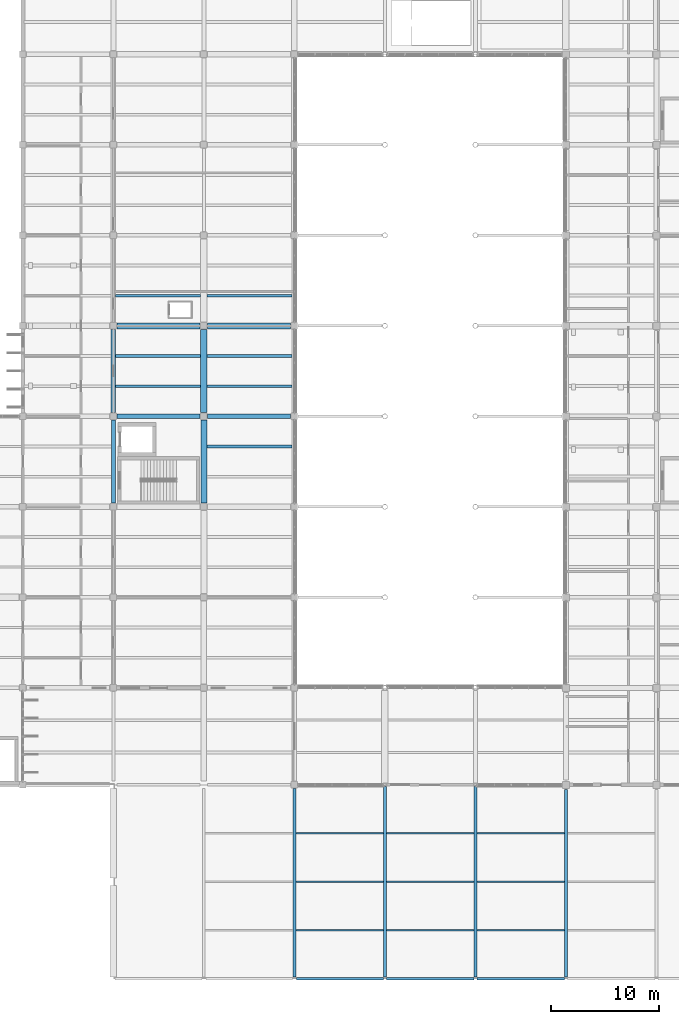
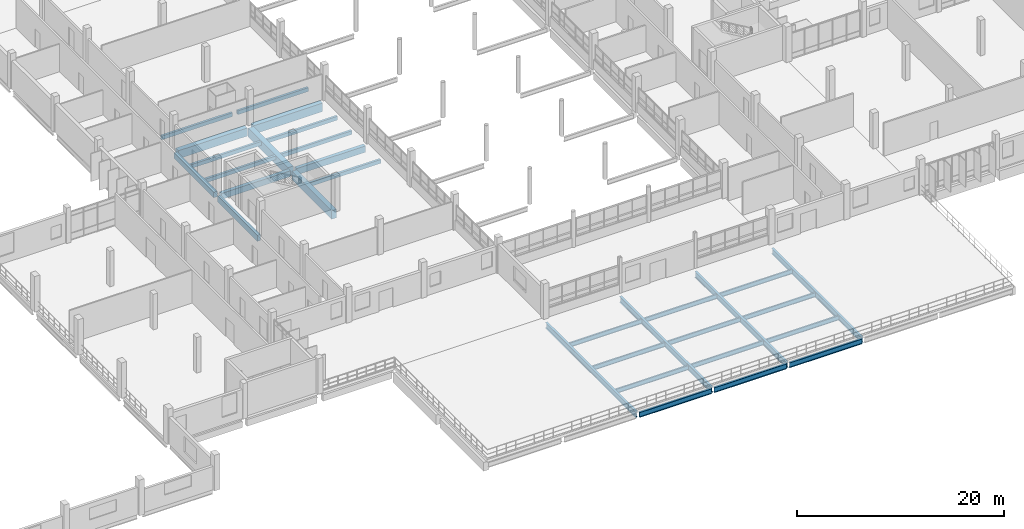
# One storey, part 14 of 101: 31 beams.
"""IFC4 building model written with IfcOpenShell, lengths in metres."""

from ifc_helpers import new_model, si_unit, direction, frame, origin, origin_2d, place, context, subcontext, project, spatial, rectangle, i_section, extrude, material, material_profile, profile_set, type_object, element, save


model = new_model("IFC4")

# Units and contexts
model_context = context("Model", 3, precision=1e-05, world=origin(), true_north=direction((0.0, 1.0)))
body_context = subcontext(model_context, "Body", "Model", "MODEL_VIEW")
ifc_project = project(units=[si_unit("LENGTHUNIT", "METRE"), si_unit("AREAUNIT", "SQUARE_METRE"), si_unit("VOLUMEUNIT", "CUBIC_METRE"), si_unit("PLANEANGLEUNIT", "RADIAN"), si_unit("MASSUNIT", "GRAM", prefix="KILO")], contexts=[model_context])

# Site, building, storey
site_placement = place(None, origin())
site = spatial("IfcSite", under=ifc_project, at=site_placement, CompositionType="ELEMENT")
building_placement = place(site_placement, origin())
building = spatial("IfcBuilding", under=site, at=building_placement, Name="Vireocrest Preparatory School", CompositionType="ELEMENT")
storey_placement = place(building_placement, frame((0.0, 0.0, 4.800048828125)))
storey = spatial("IfcBuildingStorey", under=building, at=storey_placement, Name="L01", CompositionType="ELEMENT", Elevation=4.800048828125)

# Beams
ifc_material_1 = material(Name="Structural steel ASTM A992 Grade 50", Category="steel")
ifc_material_profile_1 = material_profile(ifc_material_1, i_section(OverallWidth=0.2529296875, OverallDepth=0.677978515625, WebThickness=0.01171875, FlangeThickness=0.016357421875, FilletRadius=0.01806640625, at=origin_2d()), Name="W27X84")
ifc_profile_set_1 = profile_set([ifc_material_profile_1], Name="Structural steel ASTM A992 Grade 50")
beam_type_1 = type_object("IfcBeamType", Name="Concourse Long-Span Girder W27X84", PredefinedType="BEAM", material=ifc_profile_set_1)
beam_1_placement = place(storey_placement, frame((67.199951171875, 0.177978515625, -0.658935546875), z_axis=(0.0, 1.0, 0.0), x_axis=(-1.0, 0.0, 0.0)))
element("IfcBeam", 1, at=beam_1_placement, inside=storey, type_object=beam_type_1, Name="Primary Girder SB2 L01-0414", PredefinedType="BEAM", context=body_context, shape_type="SweptSolid", body=[
    extrude(i_section(OverallWidth=0.2529296875, OverallDepth=0.677978515625, WebThickness=0.01171875, FlangeThickness=0.016357421875, FilletRadius=0.01806640625, at=origin_2d()), origin(), (0.0, 0.0, 1.0), 17.471923828125),
])
for number, where, z_axis, x_axis, name in (
    (2, (75.60009765625, 0.154052734375, -0.658935546875), (0.0, 1.0, 0.0), (-1.0, 0.0, 0.0), "Primary Girder SB2 L01-0426"),
    (3, (84.0, 0.154052734375, -0.658935546875), (0.0, 1.0, 0.0), (-1.0, 0.0, 0.0), "Primary Girder SB2 L01-0431"),
):
    element("IfcBeam", number, at=place(storey_placement, frame(where, z_axis=z_axis, x_axis=x_axis)), inside=storey, type_object=beam_type_1, Name=name, PredefinedType="BEAM", context=body_context, shape_type="SweptSolid", body=[
        extrude(i_section(OverallWidth=0.2529296875, OverallDepth=0.677978515625, WebThickness=0.01171875, FlangeThickness=0.016357421875, FilletRadius=0.01806640625, at=origin_2d()), origin(), (0.0, 0.0, 1.0), 17.693603515625),
    ])
beam_2_placement = place(storey_placement, frame((92.39990234375, 0.179931640625, -0.658935546875), z_axis=(0.0, 1.0, 0.0), x_axis=(-1.0, 0.0, 0.0)))
element("IfcBeam", 4, at=beam_2_placement, inside=storey, type_object=beam_type_1, Name="Primary Girder SB2 L01-0436", PredefinedType="BEAM", context=body_context, shape_type="SweptSolid", body=[
    extrude(i_section(OverallWidth=0.2529296875, OverallDepth=0.677978515625, WebThickness=0.01171875, FlangeThickness=0.016357421875, FilletRadius=0.01806640625, at=origin_2d()), origin(), (0.0, 0.0, 1.0), 17.3701171875),
])
ifc_material_profile_2 = material_profile(ifc_material_1, i_section(OverallWidth=0.22802734375, OverallDepth=0.60302734375, WebThickness=0.010498046875, FlangeThickness=0.014892578125, FilletRadius=0.01611328125, at=origin_2d()), Name="W24X68")
ifc_profile_set_2 = profile_set([ifc_material_profile_2], Name="Structural steel ASTM A992 Grade 50")
beam_type_2 = type_object("IfcBeamType", Name="Dining Pavilion Roof Girder W24X68", PredefinedType="BEAM", material=ifc_profile_set_2)
beam_3_placement = place(storey_placement, frame((67.384521484375, 0.0, -0.62158203125), z_axis=(1.0, 0.0, 0.0), x_axis=(0.0, 1.0, 0.0)))
element("IfcBeam", 5, at=beam_3_placement, inside=storey, type_object=beam_type_2, Name="Primary Girder SB4 L01-0254", PredefinedType="BEAM", context=body_context, shape_type="SweptSolid", body=[
    extrude(i_section(OverallWidth=0.22802734375, OverallDepth=0.60302734375, WebThickness=0.010498046875, FlangeThickness=0.014892578125, FilletRadius=0.01611328125, at=origin_2d()), origin(), (0.0, 0.0, 1.0), 8.06298828125),
])
beam_4_placement = place(storey_placement, frame((75.75244140625, 0.0, -0.62158203125), z_axis=(1.0, 0.0, 0.0), x_axis=(0.0, 1.0, 0.0)))
element("IfcBeam", 6, at=beam_4_placement, inside=storey, type_object=beam_type_2, Name="Primary Girder SB4 L01-0255", PredefinedType="BEAM", context=body_context, shape_type="SweptSolid", body=[
    extrude(i_section(OverallWidth=0.22802734375, OverallDepth=0.60302734375, WebThickness=0.010498046875, FlangeThickness=0.014892578125, FilletRadius=0.01611328125, at=origin_2d()), origin(), (0.0, 0.0, 1.0), 8.094970703125),
])
beam_5_placement = place(storey_placement, frame((84.152587890625, 0.0, -0.62158203125), z_axis=(1.0, 0.0, 0.0), x_axis=(0.0, 1.0, 0.0)))
element("IfcBeam", 7, at=beam_5_placement, inside=storey, type_object=beam_type_2, Name="Primary Girder SB4 L01-0256", PredefinedType="BEAM", context=body_context, shape_type="SweptSolid", body=[
    extrude(i_section(OverallWidth=0.22802734375, OverallDepth=0.60302734375, WebThickness=0.010498046875, FlangeThickness=0.014892578125, FilletRadius=0.01611328125, at=origin_2d()), origin(), (0.0, 0.0, 1.0), 8.119384765625),
])
ifc_material_profile_3 = material_profile(ifc_material_1, i_section(OverallWidth=0.166015625, OverallDepth=0.529052734375, WebThickness=0.009765625, FlangeThickness=0.013671875, FilletRadius=0.014892578125, at=origin_2d()), Name="W21X50")
ifc_profile_set_3 = profile_set([ifc_material_profile_3], Name="Structural steel ASTM A992 Grade 50")
beam_type_3 = type_object("IfcBeamType", Name="Pavilion Roof Joist W21X50", PredefinedType="JOIST", material=ifc_profile_set_3)
for number, where, z_axis, x_axis, name in (
    (8, (67.326416015625, 4.5, -0.58447265625), (1.0, 0.0, 0.0), (0.0, 1.0, 0.0), "Play Deck Joist SJ1-0666"),
    (9, (67.326416015625, 9.0, -0.58447265625), (1.0, 0.0, 0.0), (0.0, 1.0, 0.0), "Play Deck Joist SJ1-0667"),
    (10, (67.326416015625, 13.5, -0.58447265625), (1.0, 0.0, 0.0), (0.0, 1.0, 0.0), "Play Deck Joist SJ1-0668"),
    (11, (75.7265625, 4.5, -0.58447265625), (1.0, 0.0, 0.0), (0.0, 1.0, 0.0), "Play Deck Joist SJ1-0669"),
    (12, (75.7265625, 9.0, -0.58447265625), (1.0, 0.0, 0.0), (0.0, 1.0, 0.0), "Play Deck Joist SJ1-0670"),
    (13, (75.7265625, 13.5, -0.58447265625), (1.0, 0.0, 0.0), (0.0, 1.0, 0.0), "Play Deck Joist SJ1-0671"),
    (14, (84.12646484375, 4.5, -0.58447265625), (1.0, 0.0, 0.0), (0.0, 1.0, 0.0), "Play Deck Joist SJ1-0672"),
    (15, (84.12646484375, 9.0, -0.58447265625), (1.0, 0.0, 0.0), (0.0, 1.0, 0.0), "Play Deck Joist SJ1-0673"),
    (16, (84.12646484375, 13.5, -0.58447265625), (1.0, 0.0, 0.0), (0.0, 1.0, 0.0), "Play Deck Joist SJ1-0674"),
):
    element("IfcBeam", number, at=place(storey_placement, frame(where, z_axis=z_axis, x_axis=x_axis)), inside=storey, type_object=beam_type_3, Name=name, PredefinedType="JOIST", context=body_context, shape_type="SweptSolid", body=[
        extrude(i_section(OverallWidth=0.166015625, OverallDepth=0.529052734375, WebThickness=0.009765625, FlangeThickness=0.013671875, FilletRadius=0.014892578125, at=origin_2d()), origin(), (0.0, 0.0, 1.0), 8.14697265625),
    ])
ifc_material_2 = material(Name="Concrete 40 MPa", Category="concrete")
ifc_material_profile_4 = material_profile(ifc_material_2, rectangle(XDim=0.39990234375, YDim=0.75, at=origin_2d()), Name="RC 400x750")
ifc_profile_set_4 = profile_set([ifc_material_profile_4], Name="Concrete 40 MPa")
beam_type_4 = type_object("IfcBeamType", Name="RC Commons Girder 400x750", PredefinedType="BEAM", material=ifc_profile_set_4)
beam_6_placement = place(storey_placement, frame((59.14990234375, 52.199951171875, -0.614990234375), z_axis=(1.0, 0.0, 0.0), x_axis=(0.0, 1.0, 0.0)))
element("IfcBeam", 17, at=beam_6_placement, inside=storey, type_object=beam_type_4, Name="Primary Girder B09 L01-0313", PredefinedType="BEAM", context=body_context, shape_type="SweptSolid", body=[
    extrude(rectangle(XDim=0.39990234375, YDim=0.75, at=origin_2d()), origin(), (0.0, 0.0, 1.0), 7.7001953125),
])
ifc_material_profile_5 = material_profile(ifc_material_2, rectangle(XDim=0.550048828125, YDim=1.0, at=origin_2d()), Name="RC 550x1000")
ifc_profile_set_5 = profile_set([ifc_material_profile_5], Name="Concrete 40 MPa")
beam_type_5 = type_object("IfcBeamType", Name="RC Core Coupling Beam 550x1000", PredefinedType="BEAM", material=ifc_profile_set_5)
for number, where, z_axis, x_axis, name in (
    (18, (59.14990234375, 60.60009765625, -0.739990234375), (1.0, 0.0, 0.0), (0.0, 1.0, 0.0), "Primary Girder B18 L01-0322"),
    (19, (58.800048828125, 44.14990234375, -0.739990234375), (0.0, 1.0, 0.0), (-1.0, 0.0, 0.0), "Primary Girder B18 L01-0407"),
):
    element("IfcBeam", number, at=place(storey_placement, frame(where, z_axis=z_axis, x_axis=x_axis)), inside=storey, type_object=beam_type_5, Name=name, PredefinedType="BEAM", context=body_context, shape_type="SweptSolid", body=[
        extrude(rectangle(XDim=0.550048828125, YDim=1.0, at=origin_2d()), origin(), (0.0, 0.0, 1.0), 7.7001953125),
    ])
ifc_material_profile_6 = material_profile(ifc_material_2, rectangle(XDim=0.39990234375, YDim=0.699951171875, at=origin_2d()), Name="RC 400x700")
ifc_profile_set_6 = profile_set([ifc_material_profile_6], Name="Concrete 40 MPa")
beam_type_6 = type_object("IfcBeamType", Name="RC Corridor Girder 400x700", PredefinedType="BEAM", material=ifc_profile_set_6)
beam_7_placement = place(storey_placement, frame((50.75, 52.199951171875, -0.590087890625), z_axis=(1.0, 0.0, 0.0), x_axis=(0.0, 1.0, 0.0)))
element("IfcBeam", 20, at=beam_7_placement, inside=storey, type_object=beam_type_6, Name="Primary Girder B08 L01-0312", PredefinedType="BEAM", context=body_context, shape_type="SweptSolid", body=[
    extrude(rectangle(XDim=0.39990234375, YDim=0.699951171875, at=origin_2d()), origin(), (0.0, 0.0, 1.0), 7.699951171875),
])
ifc_material_profile_7 = material_profile(ifc_material_2, rectangle(XDim=0.35009765625, YDim=0.699951171875, at=origin_2d()), Name="RC 350x700")
ifc_profile_set_7 = profile_set([ifc_material_profile_7], Name="Concrete 40 MPa")
beam_type_7 = type_object("IfcBeamType", Name="RC Laboratory Girder 350x700", PredefinedType="BEAM", material=ifc_profile_set_7)
beam_8_placement = place(storey_placement, frame((50.39990234375, 44.14990234375, -0.590087890625), z_axis=(0.0, 1.0, 0.0), x_axis=(-1.0, 0.0, 0.0)))
element("IfcBeam", 21, at=beam_8_placement, inside=storey, type_object=beam_type_7, Name="Primary Girder B06 L01-0395", PredefinedType="BEAM", context=body_context, shape_type="SweptSolid", body=[
    extrude(rectangle(XDim=0.35009765625, YDim=0.699951171875, at=origin_2d()), origin(), (0.0, 0.0, 1.0), 7.7001953125),
])
ifc_material_profile_8 = material_profile(ifc_material_2, rectangle(XDim=0.39990234375, YDim=0.64990234375, at=origin_2d()), Name="RC 400x650")
ifc_profile_set_8 = profile_set([ifc_material_profile_8], Name="Concrete 40 MPa")
beam_type_8 = type_object("IfcBeamType", Name="RC Laboratory Girder 400x650", PredefinedType="BEAM", material=ifc_profile_set_8)
beam_9_placement = place(storey_placement, frame((50.39990234375, 52.550048828125, -0.56494140625), z_axis=(0.0, 1.0, 0.0), x_axis=(-1.0, 0.0, 0.0)))
element("IfcBeam", 22, at=beam_9_placement, inside=storey, type_object=beam_type_8, Name="Primary Girder B07 L01-0396", PredefinedType="BEAM", context=body_context, shape_type="SweptSolid", body=[
    extrude(rectangle(XDim=0.39990234375, YDim=0.64990234375, at=origin_2d()), origin(), (0.0, 0.0, 1.0), 7.699951171875),
])
ifc_material_profile_9 = material_profile(ifc_material_2, rectangle(XDim=0.25, YDim=0.449951171875, at=origin_2d()), Name="RC 250x450")
ifc_profile_set_9 = profile_set([ifc_material_profile_9], Name="Concrete 40 MPa")
beam_type_9 = type_object("IfcBeamType", Name="RC Secondary Floor Joist 250x450", PredefinedType="JOIST", material=ifc_profile_set_9)
for number, where, z_axis, x_axis, name in (
    (23, (50.60009765625, 55.0, -0.465087890625), (1.0, 0.0, 0.0), (0.0, 1.0, 0.0), "Secondary Joist J01 L01-0534"),
    (24, (50.60009765625, 57.800048828125, -0.465087890625), (1.0, 0.0, 0.0), (0.0, 1.0, 0.0), "Secondary Joist J01 L01-0535"),
    (25, (50.60009765625, 63.39990234375, -0.465087890625), (1.0, 0.0, 0.0), (0.0, 1.0, 0.0), "Secondary Joist J01 L01-0536"),
):
    element("IfcBeam", number, at=place(storey_placement, frame(where, z_axis=z_axis, x_axis=x_axis)), inside=storey, type_object=beam_type_9, Name=name, PredefinedType="JOIST", context=body_context, shape_type="SweptSolid", body=[
        extrude(rectangle(XDim=0.25, YDim=0.449951171875, at=origin_2d()), origin(), (0.0, 0.0, 1.0), 7.89990234375),
    ])
beam_10_placement = place(storey_placement, frame((59.074951171875, 49.39990234375, -0.465087890625), z_axis=(1.0, 0.0, 0.0), x_axis=(0.0, 1.0, 0.0)))
element("IfcBeam", 26, at=beam_10_placement, inside=storey, type_object=beam_type_9, Name="Secondary Joist J01 L01-0553", PredefinedType="JOIST", context=body_context, shape_type="SweptSolid", body=[
    extrude(rectangle(XDim=0.25, YDim=0.449951171875, at=origin_2d()), origin(), (0.0, 0.0, 1.0), 7.900146484375),
])
for number, where, z_axis, x_axis, name in (
    (27, (59.10009765625, 55.0, -0.465087890625), (1.0, 0.0, 0.0), (0.0, 1.0, 0.0), "Secondary Joist J01 L01-0554"),
    (28, (59.10009765625, 57.800048828125, -0.465087890625), (1.0, 0.0, 0.0), (0.0, 1.0, 0.0), "Secondary Joist J01 L01-0555"),
    (29, (59.10009765625, 63.39990234375, -0.465087890625), (1.0, 0.0, 0.0), (0.0, 1.0, 0.0), "Secondary Joist J01 L01-0556"),
):
    element("IfcBeam", number, at=place(storey_placement, frame(where, z_axis=z_axis, x_axis=x_axis)), inside=storey, type_object=beam_type_9, Name=name, PredefinedType="JOIST", context=body_context, shape_type="SweptSolid", body=[
        extrude(rectangle(XDim=0.25, YDim=0.449951171875, at=origin_2d()), origin(), (0.0, 0.0, 1.0), 7.875),
    ])
ifc_material_profile_10 = material_profile(ifc_material_2, rectangle(XDim=0.550048828125, YDim=0.949951171875, at=origin_2d()), Name="RC 550x950")
ifc_profile_set_10 = profile_set([ifc_material_profile_10], Name="Concrete 40 MPa")
beam_type_10 = type_object("IfcBeamType", Name="RC Setback Edge Girder 550x950", PredefinedType="BEAM", material=ifc_profile_set_10)
beam_11_placement = place(storey_placement, frame((50.75, 60.60009765625, -0.715087890625), z_axis=(1.0, 0.0, 0.0), x_axis=(0.0, 1.0, 0.0)))
element("IfcBeam", 30, at=beam_11_placement, inside=storey, type_object=beam_type_10, Name="Primary Girder B17 L01-0321", PredefinedType="BEAM", context=body_context, shape_type="SweptSolid", body=[
    extrude(rectangle(XDim=0.550048828125, YDim=0.949951171875, at=origin_2d()), origin(), (0.0, 0.0, 1.0), 7.699951171875),
])
ifc_material_profile_11 = material_profile(ifc_material_2, rectangle(XDim=0.60009765625, YDim=1.050048828125, at=origin_2d()), Name="RC 600x1050")
ifc_profile_set_11 = profile_set([ifc_material_profile_11], Name="Concrete 40 MPa")
beam_type_11 = type_object("IfcBeamType", Name="RC Transfer Girder 600x1050", PredefinedType="BEAM", material=ifc_profile_set_11)
beam_12_placement = place(storey_placement, frame((58.800048828125, 52.550048828125, -0.76513671875), z_axis=(0.0, 1.0, 0.0), x_axis=(-1.0, 0.0, 0.0)))
element("IfcBeam", 31, at=beam_12_placement, inside=storey, type_object=beam_type_11, Name="Primary Girder B19 L01-0408", PredefinedType="BEAM", context=body_context, shape_type="SweptSolid", body=[
    extrude(rectangle(XDim=0.60009765625, YDim=1.050048828125, at=origin_2d()), origin(), (0.0, 0.0, 1.0), 7.699951171875),
])

save(model, "model.ifc")
